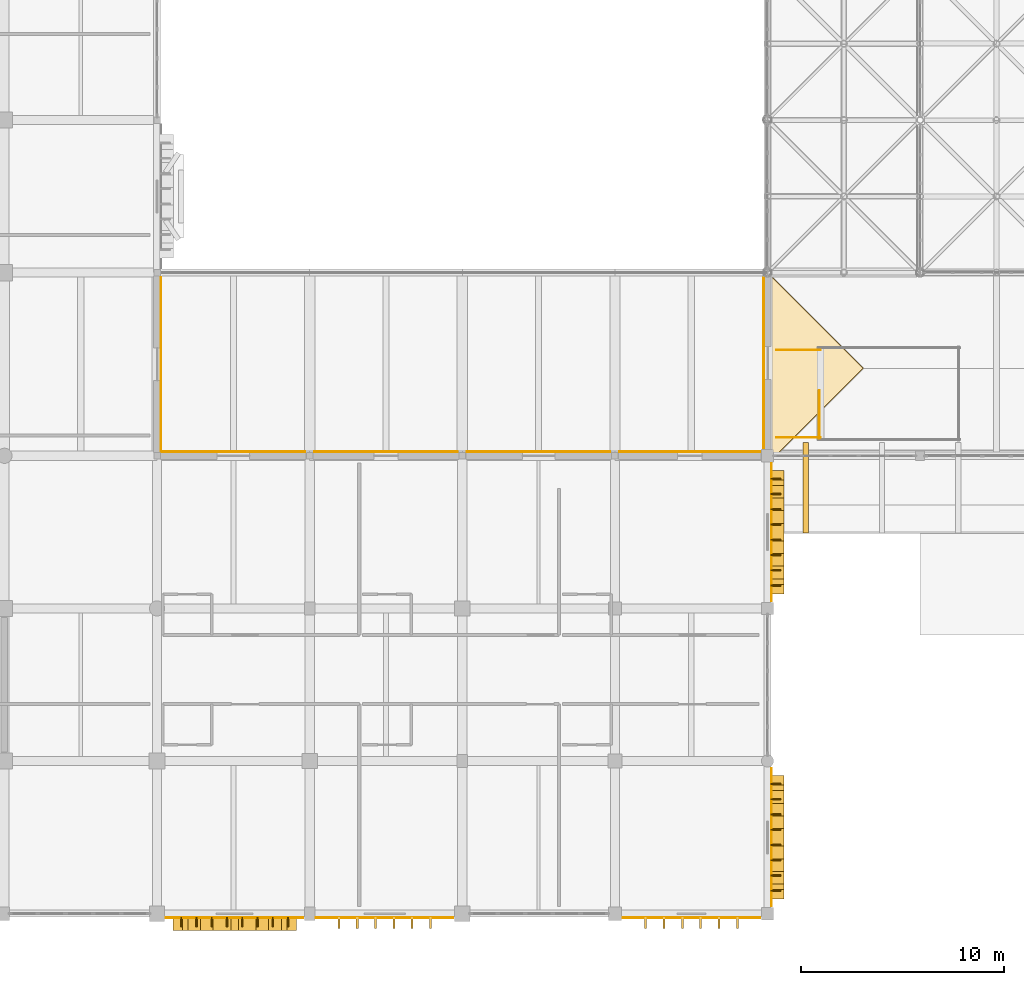
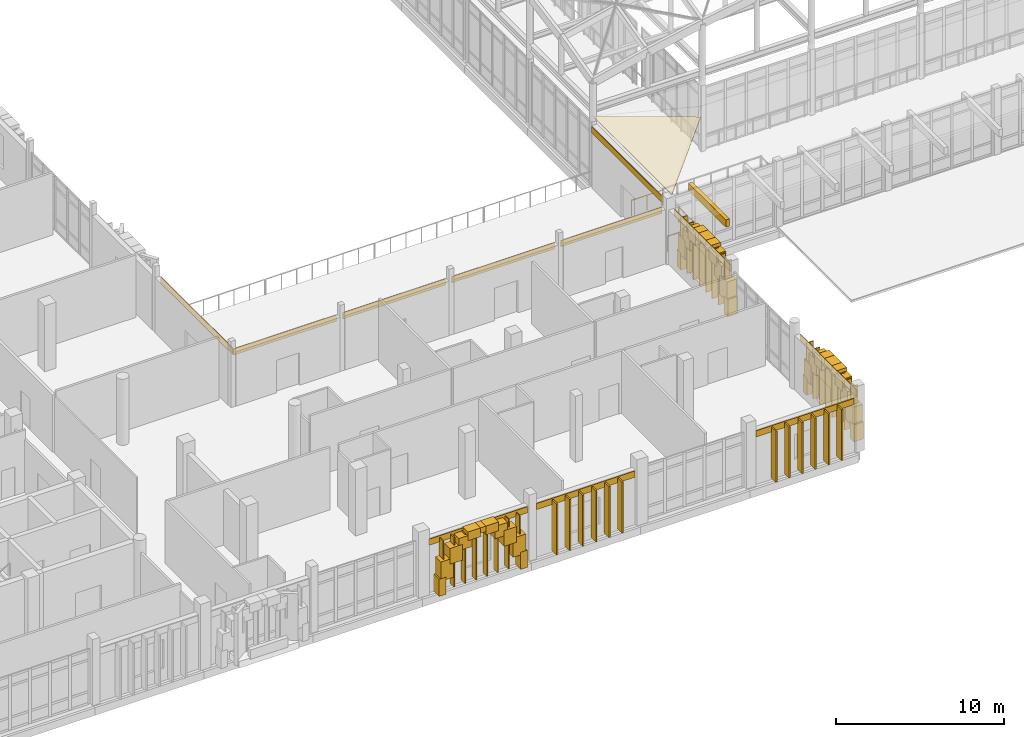
# One storey, part 113 of 131: 58 coverings, 24 shading devices, 3 railings.
"""IFC4 building model written with IfcOpenShell, lengths in metres."""

from ifc_helpers import new_model, si_unit, direction, frame, origin, origin_2d, place, context, subcontext, project, spatial, polyline, rectangle, circle, outline, extrude, material, layer, layer_set, type_object, element, save


model = new_model("IFC4")

# Units and contexts
model_context = context("Model", 3, precision=1e-05, world=origin(), true_north=direction((0.0, 1.0)))
body_context = subcontext(model_context, "Body", "Model", "MODEL_VIEW")
ifc_project = project(units=[si_unit("LENGTHUNIT", "METRE"), si_unit("AREAUNIT", "SQUARE_METRE"), si_unit("VOLUMEUNIT", "CUBIC_METRE"), si_unit("PLANEANGLEUNIT", "RADIAN"), si_unit("MASSUNIT", "GRAM", prefix="KILO")], contexts=[model_context])

# Site, building, storey
site_placement = place(None, origin())
site = spatial("IfcSite", under=ifc_project, at=site_placement, CompositionType="ELEMENT")
building_placement = place(site_placement, origin())
building = spatial("IfcBuilding", under=site, at=building_placement, Name="Dalvernix Boulevard General Hospital", CompositionType="ELEMENT")
storey_placement = place(building_placement, frame((0.0, 0.0, 9.300048828125)))
storey = spatial("IfcBuildingStorey", under=building, at=storey_placement, Name="L02", CompositionType="ELEMENT", Elevation=9.300048828125)

# Coverings
ifc_material_1 = material(Name="Pressed Catalan clay brick and dressed limestone parabolic archivolt", Category="masonry")
ifc_layer_1 = layer(ifc_material_1, 0.419921875)
ifc_layer_set_1 = layer_set([ifc_layer_1], Name="Pressed Catalan clay brick and dressed limestone parabolic archivolt (COV-ARC-01)")
covering_type_1 = type_object("IfcCoveringType", Name="COV-ARC-01", PredefinedType="CLADDING", material=ifc_layer_set_1)
for number, where, z_axis, x_axis, name in (
    (1, (36.612548828125, -0.485107421875, 0.0), (0.0, 0.0, 1.0), (-1.0, 0.0, 0.0), "L02 Catalan parabolic arch impost pier S 4-0-L"),
    (2, (31.012451171875, -0.485107421875, 0.0), (0.0, 0.0, 1.0), (-1.0, 0.0, 0.0), "L02 Catalan parabolic arch impost pier S 4-0-R"),
):
    element("IfcCovering", number, at=place(storey_placement, frame(where, z_axis=z_axis, x_axis=x_axis)), inside=storey, type_object=covering_type_1, Name=name, PredefinedType="CLADDING", context=body_context, shape_type="SweptSolid", body=[
        extrude(rectangle(XDim=0.4599609375, YDim=0.659912109375, at=origin_2d()), origin(), (0.0, 0.0, 1.0), 1.25),
    ])
covering_1_placement = place(storey_placement, frame((36.301513671875, -0.485107421875, 1.059814453125), z_axis=(0.0, 0.0, 1.0), x_axis=(-1.0, 0.0, 0.0)))
element("IfcCovering", 3, at=covering_1_placement, inside=storey, type_object=covering_type_1, Name="L02 Catalan parabolic archivolt voussoir S 4-0-1", PredefinedType="CLADDING", context=body_context, shape_type="SweptSolid", body=[
    extrude(rectangle(XDim=0.8623046875, YDim=0.659912109375, at=origin_2d()), origin(), (0.0, 0.0, 1.0), 1.3994140625),
])
covering_2_placement = place(storey_placement, frame((35.67919921875, -0.485107421875, 2.0791015625), z_axis=(0.0, 0.0, 1.0), x_axis=(-1.0, 0.0, 0.0)))
element("IfcCovering", 4, at=covering_2_placement, inside=storey, type_object=covering_type_1, Name="L02 Catalan parabolic archivolt voussoir S 4-0-2", PredefinedType="CLADDING", context=body_context, shape_type="SweptSolid", body=[
    extrude(rectangle(XDim=0.8623046875, YDim=0.659912109375, at=origin_2d()), origin(), (0.0, 0.0, 1.0), 1.144287109375),
])
covering_3_placement = place(storey_placement, frame((35.056884765625, -0.485107421875, 2.843505859375), z_axis=(0.0, 0.0, 1.0), x_axis=(-1.0, 0.0, 0.0)))
element("IfcCovering", 5, at=covering_3_placement, inside=storey, type_object=covering_type_1, Name="L02 Catalan parabolic archivolt voussoir S 4-0-3", PredefinedType="CLADDING", context=body_context, shape_type="SweptSolid", body=[
    extrude(rectangle(XDim=0.8623046875, YDim=0.659912109375, at=origin_2d()), origin(), (0.0, 0.0, 1.0), 0.8896484375),
])
covering_4_placement = place(storey_placement, frame((34.434814453125, -0.485107421875, 3.353271484375), z_axis=(0.0, 0.0, 1.0), x_axis=(-1.0, 0.0, 0.0)))
element("IfcCovering", 6, at=covering_4_placement, inside=storey, type_object=covering_type_1, Name="L02 Catalan parabolic archivolt voussoir S 4-0-4", PredefinedType="CLADDING", context=body_context, shape_type="SweptSolid", body=[
    extrude(rectangle(XDim=0.8623046875, YDim=0.659912109375, at=origin_2d()), origin(), (0.0, 0.0, 1.0), 0.634765625),
])
covering_5_placement = place(storey_placement, frame((33.8125, -0.485107421875, 3.608154296875), z_axis=(0.0, 0.0, 1.0), x_axis=(-1.0, 0.0, 0.0)))
element("IfcCovering", 7, at=covering_5_placement, inside=storey, type_object=covering_type_1, Name="L02 Catalan parabolic archivolt voussoir S 4-0-5", PredefinedType="CLADDING", context=body_context, shape_type="SweptSolid", body=[
    extrude(rectangle(XDim=0.8623046875, YDim=0.659912109375, at=origin_2d()), origin(), (0.0, 0.0, 1.0), 0.3798828125),
])
covering_6_placement = place(storey_placement, frame((33.190185546875, -0.485107421875, 3.353271484375), z_axis=(0.0, 0.0, 1.0), x_axis=(-1.0, 0.0, 0.0)))
element("IfcCovering", 8, at=covering_6_placement, inside=storey, type_object=covering_type_1, Name="L02 Catalan parabolic archivolt voussoir S 4-0-6", PredefinedType="CLADDING", context=body_context, shape_type="SweptSolid", body=[
    extrude(rectangle(XDim=0.8623046875, YDim=0.659912109375, at=origin_2d()), origin(), (0.0, 0.0, 1.0), 0.634765625),
])
covering_7_placement = place(storey_placement, frame((32.568115234375, -0.485107421875, 2.843505859375), z_axis=(0.0, 0.0, 1.0), x_axis=(-1.0, 0.0, 0.0)))
element("IfcCovering", 9, at=covering_7_placement, inside=storey, type_object=covering_type_1, Name="L02 Catalan parabolic archivolt voussoir S 4-0-7", PredefinedType="CLADDING", context=body_context, shape_type="SweptSolid", body=[
    extrude(rectangle(XDim=0.8623046875, YDim=0.659912109375, at=origin_2d()), origin(), (0.0, 0.0, 1.0), 0.8896484375),
])
covering_8_placement = place(storey_placement, frame((31.94580078125, -0.485107421875, 2.0791015625), z_axis=(0.0, 0.0, 1.0), x_axis=(-1.0, 0.0, 0.0)))
element("IfcCovering", 10, at=covering_8_placement, inside=storey, type_object=covering_type_1, Name="L02 Catalan parabolic archivolt voussoir S 4-0-8", PredefinedType="CLADDING", context=body_context, shape_type="SweptSolid", body=[
    extrude(rectangle(XDim=0.8623046875, YDim=0.659912109375, at=origin_2d()), origin(), (0.0, 0.0, 1.0), 1.144287109375),
])
covering_9_placement = place(storey_placement, frame((31.323486328125, -0.485107421875, 1.059814453125), z_axis=(0.0, 0.0, 1.0), x_axis=(-1.0, 0.0, 0.0)))
element("IfcCovering", 11, at=covering_9_placement, inside=storey, type_object=covering_type_1, Name="L02 Catalan parabolic archivolt voussoir S 4-0-9", PredefinedType="CLADDING", context=body_context, shape_type="SweptSolid", body=[
    extrude(rectangle(XDim=0.8623046875, YDim=0.659912109375, at=origin_2d()), origin(), (0.0, 0.0, 1.0), 1.3994140625),
])
for number, where, z_axis, x_axis, name in (
    (12, (60.485107421875, 6.550048828125, 0.0), (0.0, 0.0, 1.0), (0.0, -1.0, 0.0), "L02 Catalan parabolic arch impost pier E 8-0-L"),
    (13, (60.485107421875, 0.949951171875, 0.0), (0.0, 0.0, 1.0), (0.0, -1.0, 0.0), "L02 Catalan parabolic arch impost pier E 8-0-R"),
):
    element("IfcCovering", number, at=place(storey_placement, frame(where, z_axis=z_axis, x_axis=x_axis)), inside=storey, type_object=covering_type_1, Name=name, PredefinedType="CLADDING", context=body_context, shape_type="SweptSolid", body=[
        extrude(rectangle(XDim=0.4599609375, YDim=0.659912109375, at=origin_2d()), origin(), (0.0, 0.0, 1.0), 1.25),
    ])
covering_10_placement = place(storey_placement, frame((60.485107421875, 6.239013671875, 1.059814453125), z_axis=(0.0, 0.0, 1.0), x_axis=(0.0, -1.0, 0.0)))
element("IfcCovering", 14, at=covering_10_placement, inside=storey, type_object=covering_type_1, Name="L02 Catalan parabolic archivolt voussoir E 8-0-1", PredefinedType="CLADDING", context=body_context, shape_type="SweptSolid", body=[
    extrude(rectangle(XDim=0.8623046875, YDim=0.659912109375, at=origin_2d()), origin(), (0.0, 0.0, 1.0), 1.3994140625),
])
covering_11_placement = place(storey_placement, frame((60.485107421875, 5.61669921875, 2.0791015625), z_axis=(0.0, 0.0, 1.0), x_axis=(0.0, -1.0, 0.0)))
element("IfcCovering", 15, at=covering_11_placement, inside=storey, type_object=covering_type_1, Name="L02 Catalan parabolic archivolt voussoir E 8-0-2", PredefinedType="CLADDING", context=body_context, shape_type="SweptSolid", body=[
    extrude(rectangle(XDim=0.8623046875, YDim=0.659912109375, at=origin_2d()), origin(), (0.0, 0.0, 1.0), 1.144287109375),
])
covering_12_placement = place(storey_placement, frame((60.485107421875, 4.994384765625, 2.843505859375), z_axis=(0.0, 0.0, 1.0), x_axis=(0.0, -1.0, 0.0)))
element("IfcCovering", 16, at=covering_12_placement, inside=storey, type_object=covering_type_1, Name="L02 Catalan parabolic archivolt voussoir E 8-0-3", PredefinedType="CLADDING", context=body_context, shape_type="SweptSolid", body=[
    extrude(rectangle(XDim=0.8623046875, YDim=0.659912109375, at=origin_2d()), origin(), (0.0, 0.0, 1.0), 0.8896484375),
])
covering_13_placement = place(storey_placement, frame((60.485107421875, 4.372314453125, 3.353271484375), z_axis=(0.0, 0.0, 1.0), x_axis=(0.0, -1.0, 0.0)))
element("IfcCovering", 17, at=covering_13_placement, inside=storey, type_object=covering_type_1, Name="L02 Catalan parabolic archivolt voussoir E 8-0-4", PredefinedType="CLADDING", context=body_context, shape_type="SweptSolid", body=[
    extrude(rectangle(XDim=0.8623046875, YDim=0.659912109375, at=origin_2d()), origin(), (0.0, 0.0, 1.0), 0.634765625),
])
covering_14_placement = place(storey_placement, frame((60.485107421875, 3.75, 3.608154296875), z_axis=(0.0, 0.0, 1.0), x_axis=(0.0, -1.0, 0.0)))
element("IfcCovering", 18, at=covering_14_placement, inside=storey, type_object=covering_type_1, Name="L02 Catalan parabolic archivolt voussoir E 8-0-5", PredefinedType="CLADDING", context=body_context, shape_type="SweptSolid", body=[
    extrude(rectangle(XDim=0.8623046875, YDim=0.659912109375, at=origin_2d()), origin(), (0.0, 0.0, 1.0), 0.3798828125),
])
covering_15_placement = place(storey_placement, frame((60.485107421875, 3.127685546875, 3.353271484375), z_axis=(0.0, 0.0, 1.0), x_axis=(0.0, -1.0, 0.0)))
element("IfcCovering", 19, at=covering_15_placement, inside=storey, type_object=covering_type_1, Name="L02 Catalan parabolic archivolt voussoir E 8-0-6", PredefinedType="CLADDING", context=body_context, shape_type="SweptSolid", body=[
    extrude(rectangle(XDim=0.8623046875, YDim=0.659912109375, at=origin_2d()), origin(), (0.0, 0.0, 1.0), 0.634765625),
])
covering_16_placement = place(storey_placement, frame((60.485107421875, 2.505615234375, 2.843505859375), z_axis=(0.0, 0.0, 1.0), x_axis=(0.0, -1.0, 0.0)))
element("IfcCovering", 20, at=covering_16_placement, inside=storey, type_object=covering_type_1, Name="L02 Catalan parabolic archivolt voussoir E 8-0-7", PredefinedType="CLADDING", context=body_context, shape_type="SweptSolid", body=[
    extrude(rectangle(XDim=0.8623046875, YDim=0.659912109375, at=origin_2d()), origin(), (0.0, 0.0, 1.0), 0.8896484375),
])
covering_17_placement = place(storey_placement, frame((60.485107421875, 1.88330078125, 2.0791015625), z_axis=(0.0, 0.0, 1.0), x_axis=(0.0, -1.0, 0.0)))
element("IfcCovering", 21, at=covering_17_placement, inside=storey, type_object=covering_type_1, Name="L02 Catalan parabolic archivolt voussoir E 8-0-8", PredefinedType="CLADDING", context=body_context, shape_type="SweptSolid", body=[
    extrude(rectangle(XDim=0.8623046875, YDim=0.659912109375, at=origin_2d()), origin(), (0.0, 0.0, 1.0), 1.144287109375),
])
covering_18_placement = place(storey_placement, frame((60.485107421875, 1.260986328125, 1.059814453125), z_axis=(0.0, 0.0, 1.0), x_axis=(0.0, -1.0, 0.0)))
element("IfcCovering", 22, at=covering_18_placement, inside=storey, type_object=covering_type_1, Name="L02 Catalan parabolic archivolt voussoir E 8-0-9", PredefinedType="CLADDING", context=body_context, shape_type="SweptSolid", body=[
    extrude(rectangle(XDim=0.8623046875, YDim=0.659912109375, at=origin_2d()), origin(), (0.0, 0.0, 1.0), 1.3994140625),
])
for number, where, z_axis, x_axis, name in (
    (23, (60.485107421875, 21.550048828125, 0.0), (0.0, 0.0, 1.0), (0.0, -1.0, 0.0), "L02 Catalan parabolic arch impost pier E 8-2-L"),
    (24, (60.485107421875, 15.949951171875, 0.0), (0.0, 0.0, 1.0), (0.0, -1.0, 0.0), "L02 Catalan parabolic arch impost pier E 8-2-R"),
):
    element("IfcCovering", number, at=place(storey_placement, frame(where, z_axis=z_axis, x_axis=x_axis)), inside=storey, type_object=covering_type_1, Name=name, PredefinedType="CLADDING", context=body_context, shape_type="SweptSolid", body=[
        extrude(rectangle(XDim=0.4599609375, YDim=0.659912109375, at=origin_2d()), origin(), (0.0, 0.0, 1.0), 1.25),
    ])
covering_19_placement = place(storey_placement, frame((60.485107421875, 21.239013671875, 1.059814453125), z_axis=(0.0, 0.0, 1.0), x_axis=(0.0, -1.0, 0.0)))
element("IfcCovering", 25, at=covering_19_placement, inside=storey, type_object=covering_type_1, Name="L02 Catalan parabolic archivolt voussoir E 8-2-1", PredefinedType="CLADDING", context=body_context, shape_type="SweptSolid", body=[
    extrude(rectangle(XDim=0.8623046875, YDim=0.659912109375, at=origin_2d()), origin(), (0.0, 0.0, 1.0), 1.3994140625),
])
covering_20_placement = place(storey_placement, frame((60.485107421875, 20.61669921875, 2.0791015625), z_axis=(0.0, 0.0, 1.0), x_axis=(0.0, -1.0, 0.0)))
element("IfcCovering", 26, at=covering_20_placement, inside=storey, type_object=covering_type_1, Name="L02 Catalan parabolic archivolt voussoir E 8-2-2", PredefinedType="CLADDING", context=body_context, shape_type="SweptSolid", body=[
    extrude(rectangle(XDim=0.8623046875, YDim=0.659912109375, at=origin_2d()), origin(), (0.0, 0.0, 1.0), 1.144287109375),
])
covering_21_placement = place(storey_placement, frame((60.485107421875, 19.994384765625, 2.843505859375), z_axis=(0.0, 0.0, 1.0), x_axis=(0.0, -1.0, 0.0)))
element("IfcCovering", 27, at=covering_21_placement, inside=storey, type_object=covering_type_1, Name="L02 Catalan parabolic archivolt voussoir E 8-2-3", PredefinedType="CLADDING", context=body_context, shape_type="SweptSolid", body=[
    extrude(rectangle(XDim=0.8623046875, YDim=0.659912109375, at=origin_2d()), origin(), (0.0, 0.0, 1.0), 0.8896484375),
])
covering_22_placement = place(storey_placement, frame((60.485107421875, 19.372314453125, 3.353271484375), z_axis=(0.0, 0.0, 1.0), x_axis=(0.0, -1.0, 0.0)))
element("IfcCovering", 28, at=covering_22_placement, inside=storey, type_object=covering_type_1, Name="L02 Catalan parabolic archivolt voussoir E 8-2-4", PredefinedType="CLADDING", context=body_context, shape_type="SweptSolid", body=[
    extrude(rectangle(XDim=0.8623046875, YDim=0.659912109375, at=origin_2d()), origin(), (0.0, 0.0, 1.0), 0.634765625),
])
covering_23_placement = place(storey_placement, frame((60.485107421875, 18.75, 3.608154296875), z_axis=(0.0, 0.0, 1.0), x_axis=(0.0, -1.0, 0.0)))
element("IfcCovering", 29, at=covering_23_placement, inside=storey, type_object=covering_type_1, Name="L02 Catalan parabolic archivolt voussoir E 8-2-5", PredefinedType="CLADDING", context=body_context, shape_type="SweptSolid", body=[
    extrude(rectangle(XDim=0.8623046875, YDim=0.659912109375, at=origin_2d()), origin(), (0.0, 0.0, 1.0), 0.3798828125),
])
covering_24_placement = place(storey_placement, frame((60.485107421875, 18.127685546875, 3.353271484375), z_axis=(0.0, 0.0, 1.0), x_axis=(0.0, -1.0, 0.0)))
element("IfcCovering", 30, at=covering_24_placement, inside=storey, type_object=covering_type_1, Name="L02 Catalan parabolic archivolt voussoir E 8-2-6", PredefinedType="CLADDING", context=body_context, shape_type="SweptSolid", body=[
    extrude(rectangle(XDim=0.8623046875, YDim=0.659912109375, at=origin_2d()), origin(), (0.0, 0.0, 1.0), 0.634765625),
])
covering_25_placement = place(storey_placement, frame((60.485107421875, 17.505615234375, 2.843505859375), z_axis=(0.0, 0.0, 1.0), x_axis=(0.0, -1.0, 0.0)))
element("IfcCovering", 31, at=covering_25_placement, inside=storey, type_object=covering_type_1, Name="L02 Catalan parabolic archivolt voussoir E 8-2-7", PredefinedType="CLADDING", context=body_context, shape_type="SweptSolid", body=[
    extrude(rectangle(XDim=0.8623046875, YDim=0.659912109375, at=origin_2d()), origin(), (0.0, 0.0, 1.0), 0.8896484375),
])
covering_26_placement = place(storey_placement, frame((60.485107421875, 16.88330078125, 2.0791015625), z_axis=(0.0, 0.0, 1.0), x_axis=(0.0, -1.0, 0.0)))
element("IfcCovering", 32, at=covering_26_placement, inside=storey, type_object=covering_type_1, Name="L02 Catalan parabolic archivolt voussoir E 8-2-8", PredefinedType="CLADDING", context=body_context, shape_type="SweptSolid", body=[
    extrude(rectangle(XDim=0.8623046875, YDim=0.659912109375, at=origin_2d()), origin(), (0.0, 0.0, 1.0), 1.144287109375),
])
covering_27_placement = place(storey_placement, frame((60.485107421875, 16.260986328125, 1.059814453125), z_axis=(0.0, 0.0, 1.0), x_axis=(0.0, -1.0, 0.0)))
element("IfcCovering", 33, at=covering_27_placement, inside=storey, type_object=covering_type_1, Name="L02 Catalan parabolic archivolt voussoir E 8-2-9", PredefinedType="CLADDING", context=body_context, shape_type="SweptSolid", body=[
    extrude(rectangle(XDim=0.8623046875, YDim=0.659912109375, at=origin_2d()), origin(), (0.0, 0.0, 1.0), 1.3994140625),
])
ifc_material_2 = material(Name="Polychrome Catalan glazed ceramic spandrel tile panel")
ifc_layer_2 = layer(ifc_material_2, 0.044921875)
ifc_layer_set_2 = layer_set([ifc_layer_2], Name="Polychrome Catalan glazed ceramic spandrel tile panel (COV-CLD-01)")
covering_type_2 = type_object("IfcCoveringType", Name="COV-CLD-01", PredefinedType="CLADDING", material=ifc_layer_set_2)
covering_28_placement = place(storey_placement, frame((30.195068359375, 27.0, 3.52490234375), z_axis=(0.0, 0.0, 1.0), x_axis=(0.0, -1.0, 0.0)))
element("IfcCovering", 34, at=covering_28_placement, inside=storey, type_object=covering_type_2, Name="L02 polychrome ceramic spandrel E 4-3", PredefinedType="CLADDING", context=body_context, shape_type="SweptSolid", body=[
    extrude(rectangle(XDim=8.56005859375, YDim=0.044921875, at=origin_2d()), origin(), (0.0, 0.0, 1.0), 0.449951171875),
])
covering_29_placement = place(storey_placement, frame((33.8125, -0.195068359375, 3.47509765625), z_axis=(0.0, 0.0, 1.0), x_axis=(-1.0, 0.0, 0.0)))
element("IfcCovering", 35, at=covering_29_placement, inside=storey, type_object=covering_type_2, Name="L02 polychrome ceramic spandrel S 4-0", PredefinedType="CLADDING", context=body_context, shape_type="SweptSolid", body=[
    extrude(rectangle(XDim=6.7548828125, YDim=0.044921875, at=origin_2d()), origin(), (0.0, 0.0, 1.0), 0.449951171875),
])
covering_30_placement = place(storey_placement, frame((33.75, 22.695068359375, 3.47509765625), z_axis=(0.0, 0.0, 1.0), x_axis=(1.0, 0.0, 0.0)))
element("IfcCovering", 36, at=covering_30_placement, inside=storey, type_object=covering_type_2, Name="L02 polychrome ceramic spandrel N 4-3", PredefinedType="CLADDING", context=body_context, shape_type="SweptSolid", body=[
    extrude(rectangle(XDim=7.06005859375, YDim=0.044921875, at=origin_2d()), origin(), (0.0, 0.0, 1.0), 0.449951171875),
])
covering_31_placement = place(storey_placement, frame((41.1875, -0.195068359375, 3.47509765625), z_axis=(0.0, 0.0, 1.0), x_axis=(-1.0, 0.0, 0.0)))
element("IfcCovering", 37, at=covering_31_placement, inside=storey, type_object=covering_type_2, Name="L02 polychrome ceramic spandrel S 5-0", PredefinedType="CLADDING", context=body_context, shape_type="SweptSolid", body=[
    extrude(rectangle(XDim=6.7548828125, YDim=0.044921875, at=origin_2d()), origin(), (0.0, 0.0, 1.0), 0.449951171875),
])
for number, where, z_axis, x_axis, name in (
    (38, (41.25, 22.695068359375, 3.47509765625), (0.0, 0.0, 1.0), (1.0, 0.0, 0.0), "L02 polychrome ceramic spandrel N 5-3"),
    (39, (48.75, 22.695068359375, 3.47509765625), (0.0, 0.0, 1.0), (1.0, 0.0, 0.0), "L02 polychrome ceramic spandrel N 6-3"),
):
    element("IfcCovering", number, at=place(storey_placement, frame(where, z_axis=z_axis, x_axis=x_axis)), inside=storey, type_object=covering_type_2, Name=name, PredefinedType="CLADDING", context=body_context, shape_type="SweptSolid", body=[
        extrude(rectangle(XDim=7.06005859375, YDim=0.044921875, at=origin_2d()), origin(), (0.0, 0.0, 1.0), 0.449951171875),
    ])
covering_32_placement = place(storey_placement, frame((56.262451171875, -0.195068359375, 3.47509765625), z_axis=(0.0, 0.0, 1.0), x_axis=(-1.0, 0.0, 0.0)))
element("IfcCovering", 40, at=covering_32_placement, inside=storey, type_object=covering_type_2, Name="L02 polychrome ceramic spandrel S 7-0", PredefinedType="CLADDING", context=body_context, shape_type="SweptSolid", body=[
    extrude(rectangle(XDim=6.7548828125, YDim=0.044921875, at=origin_2d()), origin(), (0.0, 0.0, 1.0), 0.449951171875),
])
covering_33_placement = place(storey_placement, frame((60.195068359375, 3.75, 3.47509765625), z_axis=(0.0, 0.0, 1.0), x_axis=(0.0, -1.0, 0.0)))
element("IfcCovering", 41, at=covering_33_placement, inside=storey, type_object=covering_type_2, Name="L02 polychrome ceramic spandrel E 8-0", PredefinedType="CLADDING", context=body_context, shape_type="SweptSolid", body=[
    extrude(rectangle(XDim=6.780029296875, YDim=0.044921875, at=origin_2d()), origin(), (0.0, 0.0, 1.0), 0.449951171875),
])
covering_34_placement = place(storey_placement, frame((56.179931640625, 22.695068359375, 3.47509765625), z_axis=(0.0, 0.0, 1.0), x_axis=(1.0, 0.0, 0.0)))
element("IfcCovering", 42, at=covering_34_placement, inside=storey, type_object=covering_type_2, Name="L02 polychrome ceramic spandrel N 7-3", PredefinedType="CLADDING", context=body_context, shape_type="SweptSolid", body=[
    extrude(rectangle(XDim=6.919921875, YDim=0.044921875, at=origin_2d()), origin(), (0.0, 0.0, 1.0), 0.449951171875),
])
covering_35_placement = place(storey_placement, frame((60.195068359375, 18.75, 3.47509765625), z_axis=(0.0, 0.0, 1.0), x_axis=(0.0, -1.0, 0.0)))
element("IfcCovering", 43, at=covering_35_placement, inside=storey, type_object=covering_type_2, Name="L02 polychrome ceramic spandrel E 8-2", PredefinedType="CLADDING", context=body_context, shape_type="SweptSolid", body=[
    extrude(rectangle(XDim=6.780029296875, YDim=0.044921875, at=origin_2d()), origin(), (0.0, 0.0, 1.0), 0.449951171875),
])
covering_36_placement = place(storey_placement, frame((59.804931640625, 27.06005859375, 4.0751953125), z_axis=(0.0, 0.0, 1.0), x_axis=(0.0, 1.0, 0.0)))
element("IfcCovering", 44, at=covering_36_placement, inside=storey, type_object=covering_type_2, Name="L02 polychrome ceramic spandrel W 8-3", PredefinedType="CLADDING", context=body_context, shape_type="SweptSolid", body=[
    extrude(rectangle(XDim=8.39990234375, YDim=0.044921875, at=origin_2d()), origin(), (0.0, 0.0, 1.0), 0.449951171875),
])
ifc_material_3 = material(Name="Terracotta-clad iroko timber brise-soleil sun-breaker fin", Category="masonry")
ifc_layer_3 = layer(ifc_material_3, 0.10009765625)
ifc_layer_set_3 = layer_set([ifc_layer_3], Name="Terracotta-clad iroko timber brise-soleil sun-breaker fin (COV-FIN-02)")
covering_type_3 = type_object("IfcCoveringType", Name="COV-FIN-02", PredefinedType="CLADDING", material=ifc_layer_set_3)
for number, where, z_axis, x_axis, name in (
    (45, (43.4375, -0.445068359375, 0.119873046875), (0.0, 0.0, 1.0), (-1.0, 0.0, 0.0), "L02 terracotta brise-soleil fin S 5-0-1"),
    (46, (42.53759765625, -0.445068359375, 0.119873046875), (0.0, 0.0, 1.0), (-1.0, 0.0, 0.0), "L02 terracotta brise-soleil fin S 5-0-2"),
    (47, (41.637451171875, -0.445068359375, 0.119873046875), (0.0, 0.0, 1.0), (-1.0, 0.0, 0.0), "L02 terracotta brise-soleil fin S 5-0-3"),
    (48, (40.737548828125, -0.445068359375, 0.119873046875), (0.0, 0.0, 1.0), (-1.0, 0.0, 0.0), "L02 terracotta brise-soleil fin S 5-0-4"),
    (49, (39.83740234375, -0.445068359375, 0.119873046875), (0.0, 0.0, 1.0), (-1.0, 0.0, 0.0), "L02 terracotta brise-soleil fin S 5-0-5"),
    (50, (38.9375, -0.445068359375, 0.119873046875), (0.0, 0.0, 1.0), (-1.0, 0.0, 0.0), "L02 terracotta brise-soleil fin S 5-0-6"),
    (51, (58.512451171875, -0.445068359375, 0.119873046875), (0.0, 0.0, 1.0), (-1.0, 0.0, 0.0), "L02 terracotta brise-soleil fin S 7-0-1"),
    (52, (57.612548828125, -0.445068359375, 0.119873046875), (0.0, 0.0, 1.0), (-1.0, 0.0, 0.0), "L02 terracotta brise-soleil fin S 7-0-2"),
    (53, (56.71240234375, -0.445068359375, 0.119873046875), (0.0, 0.0, 1.0), (-1.0, 0.0, 0.0), "L02 terracotta brise-soleil fin S 7-0-3"),
    (54, (55.8125, -0.445068359375, 0.119873046875), (0.0, 0.0, 1.0), (-1.0, 0.0, 0.0), "L02 terracotta brise-soleil fin S 7-0-4"),
    (55, (54.91259765625, -0.445068359375, 0.119873046875), (0.0, 0.0, 1.0), (-1.0, 0.0, 0.0), "L02 terracotta brise-soleil fin S 7-0-5"),
    (56, (54.012451171875, -0.445068359375, 0.119873046875), (0.0, 0.0, 1.0), (-1.0, 0.0, 0.0), "L02 terracotta brise-soleil fin S 7-0-6"),
):
    element("IfcCovering", number, at=place(storey_placement, frame(where, z_axis=z_axis, x_axis=x_axis)), inside=storey, type_object=covering_type_3, Name=name, PredefinedType="CLADDING", context=body_context, shape_type="SweptSolid", body=[
        extrude(rectangle(XDim=0.10009765625, YDim=0.580078125, at=origin_2d()), origin(), (0.0, 0.0, 1.0), 3.7099609375),
    ])
ifc_material_4 = material(Name="Preservative-treated glulam GL28h eave outlooker corbel bracket", Category="wood")
ifc_layer_4 = layer(ifc_material_4, 0.239990234375)
ifc_layer_set_4 = layer_set([ifc_layer_4], Name="Preservative-treated glulam GL28h eave outlooker corbel bracket (COV-OUTLOOK-01)")
covering_type_4 = type_object("IfcCoveringType", Name="COV-OUTLOOK-01", PredefinedType="CLADDING", material=ifc_layer_set_4)
covering_37_placement = place(storey_placement, frame((61.875, 20.925048828125, 4.139892578125), z_axis=(0.0, 0.0, 1.0), x_axis=(1.0, 0.0, 0.0)))
element("IfcCovering", 57, at=covering_37_placement, inside=storey, type_object=covering_type_4, Name="V1S glulam eave outlooker corbel S-1", PredefinedType="CLADDING", context=body_context, shape_type="SweptSolid", body=[
    extrude(rectangle(XDim=0.260009765625, YDim=4.449951171875, at=origin_2d()), origin(), (0.0, 0.0, 1.0), 0.52001953125),
])
ifc_material_5 = material(Name="Polychrome Catalan glazed terracotta roof tiles", Category="masonry")
ifc_layer_5 = layer(ifc_material_5, 0.050048828125)
ifc_layer_set_5 = layer_set([ifc_layer_5], Name="Polychrome Catalan glazed terracotta roof tiles (COV-ROOF-01)")
covering_type_5 = type_object("IfcCoveringType", Name="COV-ROOF-01", PredefinedType="ROOFING", material=ifc_layer_set_5)
covering_38_placement = place(storey_placement, frame((60.0, 31.5, 5.070068359375), z_axis=(-0.238509711225, 0.0, 0.971140112266), x_axis=(0.0, -1.0, 0.0)))
element("IfcCovering", 58, at=covering_38_placement, inside=storey, type_object=covering_type_5, Name="V1S glazed terracotta tile slope W", PredefinedType="ROOFING", context=body_context, shape_type="SweptSolid", body=[
    extrude(outline(polyline([(0.0, 0.0), (9.39990234375, 0.0), (4.699951171875, 4.839622123021999), (0.0, 0.0)])), origin(), (0.0, 0.0, -1.0), 0.050048828125),
])

# Railings
ifc_material_6 = material(Name="Brushed stainless steel balustrade", Category="steel")
railing_type = type_object("IfcRailingType", Name="RL-GR-INT1", PredefinedType="BALUSTRADE", material=ifc_material_6)
railing_placement = place(storey_placement, frame((62.550048828125, 23.35009765625, 0.0)))
element("IfcRailing", 59, at=railing_placement, inside=storey, type_object=railing_type, Name="L02 ST-07 top well guard 1", PredefinedType="BALUSTRADE", context=body_context, shape_type="SweptSolid", body=[
    extrude(circle(Radius=0.02392578125, at=origin_2d()), frame((0.0, 0.0, 1.09619140625), z_axis=(0.0, 1.0, 0.0), x_axis=(-1.0, 0.0, 0.0)), (0.0, 0.0, 1.0), 2.349853515625),
    extrude(circle(Radius=0.02099609375, at=origin_2d()), origin(), (0.0, 0.0, 1.0), 1.072021484375),
    extrude(circle(Radius=0.02099609375, at=origin_2d()), frame((0.0, 1.1748046875, 0.0)), (0.0, 0.0, 1.0), 1.072021484375),
    extrude(circle(Radius=0.02099609375, at=origin_2d()), frame((0.0, 2.349853515625, 0.0)), (0.0, 0.0, 1.0), 1.072021484375),
])
for number, where, name in (
    (60, (60.449951171875, 23.39990234375, 0.0), "L02 ST-07 top well guard 5"),
    (61, (60.449951171875, 27.699951171875, 0.0), "L02 ST-07 top well guard 6"),
):
    element("IfcRailing", number, at=place(storey_placement, frame(where)), inside=storey, type_object=railing_type, Name=name, PredefinedType="BALUSTRADE", context=body_context, shape_type="SweptSolid", body=[
        extrude(circle(Radius=0.02392578125, at=origin_2d()), frame((0.0, 0.0, 1.09619140625), z_axis=(1.0, 0.0, 0.0), x_axis=(0.0, 1.0, 0.0)), (0.0, 0.0, 1.0), 2.150146484375),
        extrude(circle(Radius=0.02099609375, at=origin_2d()), origin(), (0.0, 0.0, 1.0), 1.072021484375),
        extrude(circle(Radius=0.02099609375, at=origin_2d()), frame((1.0751953125, 0.0, 0.0)), (0.0, 0.0, 1.0), 1.072021484375),
        extrude(circle(Radius=0.02099609375, at=origin_2d()), frame((2.150146484375, 0.0, 0.0)), (0.0, 0.0, 1.0), 1.072021484375),
    ])

# Shading devices
ifc_material_7 = material(Name="Preservative-treated West African iroko timber", Category="wood")
shading_device_type = type_object("IfcShadingDeviceType", Name="SHD-FIN-01", PredefinedType="USERDEFINED", material=ifc_material_7)
for number, where, z_axis, x_axis, name in (
    (62, (36.4375, -0.405029296875, 0.1748046875), (0.0, 0.0, 1.0), (-1.0, 0.0, 0.0), "L02 iroko brise-soleil fin 1"),
    (63, (35.6875, -0.405029296875, 0.1748046875), (0.0, 0.0, 1.0), (-1.0, 0.0, 0.0), "L02 iroko brise-soleil fin 2"),
    (64, (34.9375, -0.405029296875, 0.1748046875), (0.0, 0.0, 1.0), (-1.0, 0.0, 0.0), "L02 iroko brise-soleil fin 3"),
    (65, (34.1875, -0.405029296875, 0.1748046875), (0.0, 0.0, 1.0), (-1.0, 0.0, 0.0), "L02 iroko brise-soleil fin 4"),
    (66, (33.4375, -0.405029296875, 0.1748046875), (0.0, 0.0, 1.0), (-1.0, 0.0, 0.0), "L02 iroko brise-soleil fin 5"),
    (67, (32.6875, -0.405029296875, 0.1748046875), (0.0, 0.0, 1.0), (-1.0, 0.0, 0.0), "L02 iroko brise-soleil fin 6"),
    (68, (31.9375, -0.405029296875, 0.1748046875), (0.0, 0.0, 1.0), (-1.0, 0.0, 0.0), "L02 iroko brise-soleil fin 7"),
    (69, (31.1875, -0.405029296875, 0.1748046875), (0.0, 0.0, 1.0), (-1.0, 0.0, 0.0), "L02 iroko brise-soleil fin 8"),
    (70, (60.405029296875, 6.375, 0.1748046875), (0.0, 0.0, 1.0), (0.0, -1.0, 0.0), "L02 iroko brise-soleil fin 1"),
    (71, (60.405029296875, 5.625, 0.1748046875), (0.0, 0.0, 1.0), (0.0, -1.0, 0.0), "L02 iroko brise-soleil fin 2"),
    (72, (60.405029296875, 4.875, 0.1748046875), (0.0, 0.0, 1.0), (0.0, -1.0, 0.0), "L02 iroko brise-soleil fin 3"),
    (73, (60.405029296875, 4.125, 0.1748046875), (0.0, 0.0, 1.0), (0.0, -1.0, 0.0), "L02 iroko brise-soleil fin 4"),
    (74, (60.405029296875, 3.375, 0.1748046875), (0.0, 0.0, 1.0), (0.0, -1.0, 0.0), "L02 iroko brise-soleil fin 5"),
    (75, (60.405029296875, 2.625, 0.1748046875), (0.0, 0.0, 1.0), (0.0, -1.0, 0.0), "L02 iroko brise-soleil fin 6"),
    (76, (60.405029296875, 1.875, 0.1748046875), (0.0, 0.0, 1.0), (0.0, -1.0, 0.0), "L02 iroko brise-soleil fin 7"),
    (77, (60.405029296875, 1.125, 0.1748046875), (0.0, 0.0, 1.0), (0.0, -1.0, 0.0), "L02 iroko brise-soleil fin 8"),
    (78, (60.405029296875, 21.375, 0.1748046875), (0.0, 0.0, 1.0), (0.0, -1.0, 0.0), "L02 iroko brise-soleil fin 1"),
    (79, (60.405029296875, 20.625, 0.1748046875), (0.0, 0.0, 1.0), (0.0, -1.0, 0.0), "L02 iroko brise-soleil fin 2"),
    (80, (60.405029296875, 19.875, 0.1748046875), (0.0, 0.0, 1.0), (0.0, -1.0, 0.0), "L02 iroko brise-soleil fin 3"),
    (81, (60.405029296875, 19.125, 0.1748046875), (0.0, 0.0, 1.0), (0.0, -1.0, 0.0), "L02 iroko brise-soleil fin 4"),
    (82, (60.405029296875, 18.375, 0.1748046875), (0.0, 0.0, 1.0), (0.0, -1.0, 0.0), "L02 iroko brise-soleil fin 5"),
    (83, (60.405029296875, 17.625, 0.1748046875), (0.0, 0.0, 1.0), (0.0, -1.0, 0.0), "L02 iroko brise-soleil fin 6"),
    (84, (60.405029296875, 16.875, 0.1748046875), (0.0, 0.0, 1.0), (0.0, -1.0, 0.0), "L02 iroko brise-soleil fin 7"),
    (85, (60.405029296875, 16.125, 0.1748046875), (0.0, 0.0, 1.0), (0.0, -1.0, 0.0), "L02 iroko brise-soleil fin 8"),
):
    element("IfcShadingDevice", number, at=place(storey_placement, frame(where, z_axis=z_axis, x_axis=x_axis)), inside=storey, type_object=shading_device_type, Name=name, ObjectType="FIN", PredefinedType="USERDEFINED", context=body_context, shape_type="SweptSolid", body=[
        extrude(rectangle(XDim=0.06494140625, YDim=0.47998046875, at=origin_2d()), origin(), (0.0, 0.0, 1.0), 3.60009765625),
    ])

save(model, "model.ifc")
